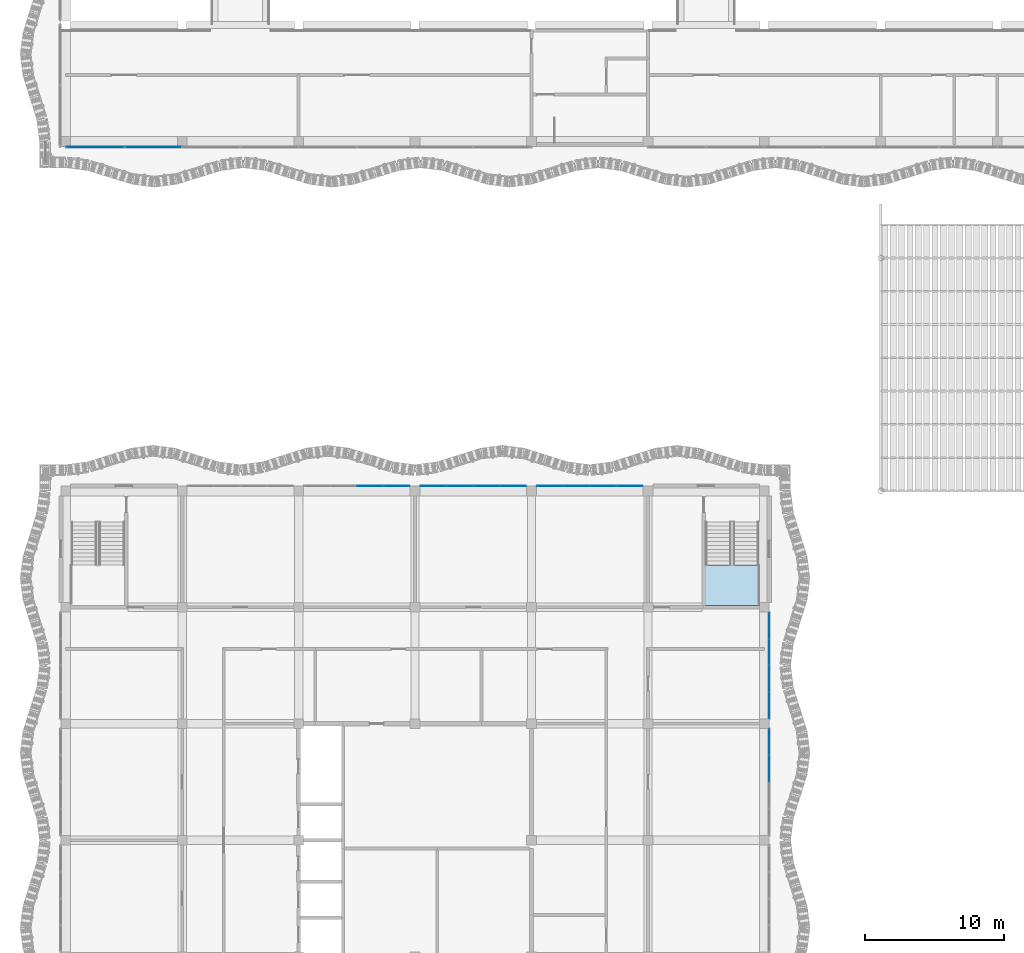
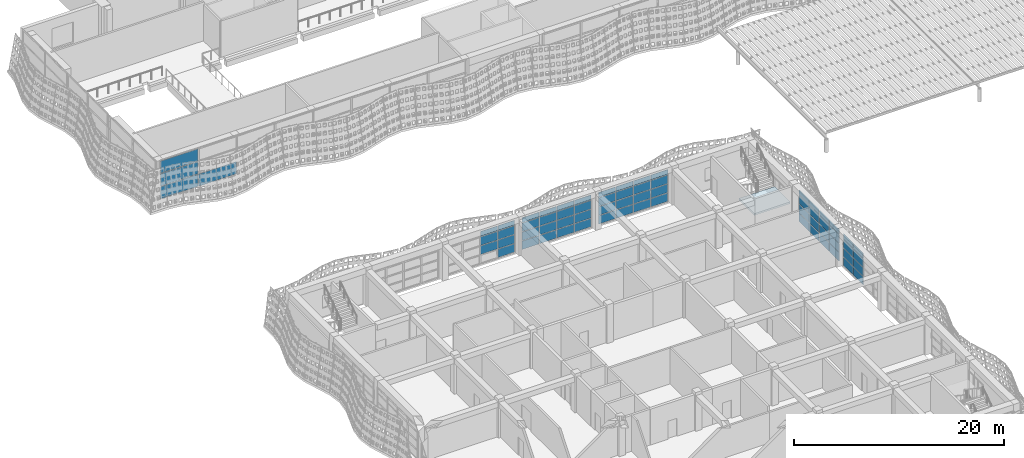
# One storey, part 64 of 162: 67 plates, 1 slab, 7 elements without a shape of their own.
"""IFC4 building model written with IfcOpenShell, lengths in metres."""

from ifc_helpers import new_model, si_unit, direction, frame, origin, origin_2d, place, context, subcontext, project, spatial, polyline, rectangle, outline, extrude, material, layer, layer_set, type_object, element, aggregate, save


model = new_model("IFC4")

# Units and contexts
model_context = context("Model", 3, precision=1e-05, world=origin(), true_north=direction((0.0, 1.0)))
body_context = subcontext(model_context, "Body", "Model", "MODEL_VIEW")
ifc_project = project(units=[si_unit("LENGTHUNIT", "METRE"), si_unit("AREAUNIT", "SQUARE_METRE"), si_unit("VOLUMEUNIT", "CUBIC_METRE"), si_unit("PLANEANGLEUNIT", "RADIAN"), si_unit("MASSUNIT", "GRAM", prefix="KILO")], contexts=[model_context])

# Site, building, storey
site_placement = place(None, origin())
site = spatial("IfcSite", under=ifc_project, at=site_placement, CompositionType="ELEMENT")
building_placement = place(site_placement, origin())
building = spatial("IfcBuilding", under=site, at=building_placement, Name="Rain Tree Exposition and Congress Centre", CompositionType="ELEMENT")
storey_placement = place(building_placement, frame((0.0, 0.0, 6.0)))
storey = spatial("IfcBuildingStorey", under=building, at=storey_placement, Name="L01", CompositionType="ELEMENT", Elevation=6.0)

# Curtain wall, plates
ifc_material_1 = material(Name="Aluminium curtain wall system", Category="aluminium")
ifc_layer_1 = layer(ifc_material_1, 0.10009765625)
ifc_layer_set_1 = layer_set([ifc_layer_1], Name="Aluminium curtain wall system")
curtain_wall_type_1 = type_object("IfcCurtainWallType", Name="Concourse curtain wall 4200 module", PredefinedType="NOTDEFINED", material=ifc_layer_set_1)
curtain_wall_1_placement = place(storey_placement, origin())
curtain_wall_1 = element("IfcCurtainWall", 1, at=curtain_wall_1_placement, inside=storey, type_object=curtain_wall_type_1, Name="Concourse curtain wall CWC22", PredefinedType="NOTDEFINED")
ifc_material_2 = material(Name="Laminated low-e glass", Category="glass")
ifc_layer_2 = layer(ifc_material_2, 0.028076171875)
ifc_layer_set_2 = layer_set([ifc_layer_2], Name="Laminated low-e glass")
plate_type_1 = type_object("IfcPlateType", Name="Concourse curtain wall glass panel 28", PredefinedType="CURTAIN_PANEL", material=ifc_layer_set_2)
plate_1_placement = place(storey_placement, frame((2.114990234375, 75.199951171875, 0.06005859375), z_axis=(0.0, 0.0, 1.0), x_axis=(1.0, 0.0, 0.0)))
plate_1 = element("IfcPlate", 2, at=plate_1_placement, type_object=plate_type_1, Name="CWC22 panel 1.1", PredefinedType="CURTAIN_PANEL", context=body_context, shape_type="SweptSolid", body=[
    extrude(rectangle(XDim=4.110107421875, YDim=0.028076171875, at=origin_2d()), origin(), (0.0, 0.0, 1.0), 1.409912109375),
])
plate_2_placement = place(storey_placement, frame((2.114990234375, 75.199951171875, 1.530029296875), z_axis=(0.0, 0.0, 1.0), x_axis=(1.0, 0.0, 0.0)))
plate_2 = element("IfcPlate", 3, at=plate_2_placement, type_object=plate_type_1, Name="CWC22 panel 1.2", PredefinedType="CURTAIN_PANEL", context=body_context, shape_type="SweptSolid", body=[
    extrude(rectangle(XDim=4.110107421875, YDim=0.028076171875, at=origin_2d()), origin(), (0.0, 0.0, 1.0), 1.43994140625),
])
plate_3_placement = place(storey_placement, frame((2.114990234375, 75.199951171875, 3.0302734375), z_axis=(0.0, 0.0, 1.0), x_axis=(1.0, 0.0, 0.0)))
plate_3 = element("IfcPlate", 4, at=plate_3_placement, type_object=plate_type_1, Name="CWC22 panel 1.3", PredefinedType="CURTAIN_PANEL", context=body_context, shape_type="SweptSolid", body=[
    extrude(rectangle(XDim=4.110107421875, YDim=0.028076171875, at=origin_2d()), origin(), (0.0, 0.0, 1.0), 1.409912109375),
])
plate_4_placement = place(storey_placement, frame((6.300048828125, 75.199951171875, 0.06005859375), z_axis=(0.0, 0.0, 1.0), x_axis=(1.0, 0.0, 0.0)))
plate_4 = element("IfcPlate", 5, at=plate_4_placement, type_object=plate_type_1, Name="CWC22 panel 2.1", PredefinedType="CURTAIN_PANEL", context=body_context, shape_type="SweptSolid", body=[
    extrude(rectangle(XDim=4.139892578125, YDim=0.028076171875, at=origin_2d()), origin(), (0.0, 0.0, 1.0), 1.409912109375),
])
aggregate(curtain_wall_1, [plate_1, plate_2, plate_3, plate_4])

ifc_material_3 = material(Name="Aluminium curtain wall", Category="aluminium")
curtain_wall_type_2 = type_object("IfcCurtainWallType", Name="Wing curtain wall 1925", PredefinedType="NOTDEFINED", material=ifc_material_3)
curtain_wall_2_placement = place(storey_placement, origin())
curtain_wall_2 = element("IfcCurtainWall", 6, at=curtain_wall_2_placement, inside=storey, type_object=curtain_wall_type_2, Name="Curtain wall CWW205", PredefinedType="NOTDEFINED")
ifc_material_4 = material(Name="Double glazed unit", Category="glass")
ifc_layer_3 = layer(ifc_material_4, 0.028076171875)
ifc_layer_set_3 = layer_set([ifc_layer_3], Name="Double glazed unit")
plate_type_2 = type_object("IfcPlateType", Name="Wing glazing panel 28", PredefinedType="CURTAIN_PANEL", material=ifc_layer_set_3)
plate_5_placement = place(storey_placement, frame((21.96240234375, 50.75, 1.080078125), z_axis=(0.0, 0.0, 1.0), x_axis=(1.0, 0.0, 0.0)))
plate_5 = element("IfcPlate", 7, at=plate_5_placement, type_object=plate_type_2, Name="CWW205 panel 3.2", PredefinedType="CURTAIN_PANEL", context=body_context, shape_type="SweptSolid", body=[
    extrude(rectangle(XDim=1.864990234375, YDim=0.028076171875, at=origin_2d()), origin(), (0.0, 0.0, 1.0), 0.989990234375),
])
plate_6_placement = place(storey_placement, frame((21.96240234375, 50.75, 2.1298828125), z_axis=(0.0, 0.0, 1.0), x_axis=(1.0, 0.0, 0.0)))
plate_6 = element("IfcPlate", 8, at=plate_6_placement, type_object=plate_type_2, Name="CWW205 panel 3.3", PredefinedType="CURTAIN_PANEL", context=body_context, shape_type="SweptSolid", body=[
    extrude(rectangle(XDim=1.864990234375, YDim=0.028076171875, at=origin_2d()), origin(), (0.0, 0.0, 1.0), 0.989990234375),
])
plate_7_placement = place(storey_placement, frame((21.96240234375, 50.75, 3.179931640625), z_axis=(0.0, 0.0, 1.0), x_axis=(1.0, 0.0, 0.0)))
plate_7 = element("IfcPlate", 9, at=plate_7_placement, type_object=plate_type_2, Name="CWW205 panel 3.4", PredefinedType="CURTAIN_PANEL", context=body_context, shape_type="SweptSolid", body=[
    extrude(rectangle(XDim=1.864990234375, YDim=0.028076171875, at=origin_2d()), origin(), (0.0, 0.0, 1.0), 0.56005859375),
])
plate_8_placement = place(storey_placement, frame((23.87255859375, 50.75, 0.06005859375), z_axis=(0.0, 0.0, 1.0), x_axis=(1.0, 0.0, 0.0)))
plate_8 = element("IfcPlate", 10, at=plate_8_placement, type_object=plate_type_2, Name="CWW205 panel 4.1", PredefinedType="CURTAIN_PANEL", context=body_context, shape_type="SweptSolid", body=[
    extrude(rectangle(XDim=1.8349609375, YDim=0.028076171875, at=origin_2d()), origin(), (0.0, 0.0, 1.0), 0.9599609375),
])
plate_9_placement = place(storey_placement, frame((23.87255859375, 50.75, 1.080078125), z_axis=(0.0, 0.0, 1.0), x_axis=(1.0, 0.0, 0.0)))
plate_9 = element("IfcPlate", 11, at=plate_9_placement, type_object=plate_type_2, Name="CWW205 panel 4.2", PredefinedType="CURTAIN_PANEL", context=body_context, shape_type="SweptSolid", body=[
    extrude(rectangle(XDim=1.8349609375, YDim=0.028076171875, at=origin_2d()), origin(), (0.0, 0.0, 1.0), 0.989990234375),
])
plate_10_placement = place(storey_placement, frame((23.87255859375, 50.75, 2.1298828125), z_axis=(0.0, 0.0, 1.0), x_axis=(1.0, 0.0, 0.0)))
plate_10 = element("IfcPlate", 12, at=plate_10_placement, type_object=plate_type_2, Name="CWW205 panel 4.3", PredefinedType="CURTAIN_PANEL", context=body_context, shape_type="SweptSolid", body=[
    extrude(rectangle(XDim=1.8349609375, YDim=0.028076171875, at=origin_2d()), origin(), (0.0, 0.0, 1.0), 0.989990234375),
])
plate_11_placement = place(storey_placement, frame((23.87255859375, 50.75, 3.179931640625), z_axis=(0.0, 0.0, 1.0), x_axis=(1.0, 0.0, 0.0)))
plate_11 = element("IfcPlate", 13, at=plate_11_placement, type_object=plate_type_2, Name="CWW205 panel 4.4", PredefinedType="CURTAIN_PANEL", context=body_context, shape_type="SweptSolid", body=[
    extrude(rectangle(XDim=1.8349609375, YDim=0.028076171875, at=origin_2d()), origin(), (0.0, 0.0, 1.0), 0.56005859375),
])
aggregate(curtain_wall_2, [plate_5, plate_6, plate_7, plate_8, plate_9, plate_10, plate_11])

curtain_wall_3_placement = place(storey_placement, origin())
curtain_wall_3 = element("IfcCurtainWall", 14, at=curtain_wall_3_placement, inside=storey, type_object=curtain_wall_type_2, Name="Curtain wall CWW206", PredefinedType="NOTDEFINED")
plate_12_placement = place(storey_placement, frame((26.527587890625, 50.75, 0.06005859375), z_axis=(0.0, 0.0, 1.0), x_axis=(1.0, 0.0, 0.0)))
plate_12 = element("IfcPlate", 15, at=plate_12_placement, type_object=plate_type_2, Name="CWW206 panel 1.1", PredefinedType="CURTAIN_PANEL", context=body_context, shape_type="SweptSolid", body=[
    extrude(rectangle(XDim=1.8349609375, YDim=0.028076171875, at=origin_2d()), origin(), (0.0, 0.0, 1.0), 0.9599609375),
])
plate_13_placement = place(storey_placement, frame((26.527587890625, 50.75, 1.080078125), z_axis=(0.0, 0.0, 1.0), x_axis=(1.0, 0.0, 0.0)))
plate_13 = element("IfcPlate", 16, at=plate_13_placement, type_object=plate_type_2, Name="CWW206 panel 1.2", PredefinedType="CURTAIN_PANEL", context=body_context, shape_type="SweptSolid", body=[
    extrude(rectangle(XDim=1.8349609375, YDim=0.028076171875, at=origin_2d()), origin(), (0.0, 0.0, 1.0), 0.989990234375),
])
plate_14_placement = place(storey_placement, frame((26.527587890625, 50.75, 2.1298828125), z_axis=(0.0, 0.0, 1.0), x_axis=(1.0, 0.0, 0.0)))
plate_14 = element("IfcPlate", 17, at=plate_14_placement, type_object=plate_type_2, Name="CWW206 panel 1.3", PredefinedType="CURTAIN_PANEL", context=body_context, shape_type="SweptSolid", body=[
    extrude(rectangle(XDim=1.8349609375, YDim=0.028076171875, at=origin_2d()), origin(), (0.0, 0.0, 1.0), 0.989990234375),
])
plate_15_placement = place(storey_placement, frame((26.527587890625, 50.75, 3.179931640625), z_axis=(0.0, 0.0, 1.0), x_axis=(1.0, 0.0, 0.0)))
plate_15 = element("IfcPlate", 18, at=plate_15_placement, type_object=plate_type_2, Name="CWW206 panel 1.4", PredefinedType="CURTAIN_PANEL", context=body_context, shape_type="SweptSolid", body=[
    extrude(rectangle(XDim=1.8349609375, YDim=0.028076171875, at=origin_2d()), origin(), (0.0, 0.0, 1.0), 0.56005859375),
])
plate_16_placement = place(storey_placement, frame((28.4375, 50.75, 0.06005859375), z_axis=(0.0, 0.0, 1.0), x_axis=(1.0, 0.0, 0.0)))
plate_16 = element("IfcPlate", 19, at=plate_16_placement, type_object=plate_type_2, Name="CWW206 panel 2.1", PredefinedType="CURTAIN_PANEL", context=body_context, shape_type="SweptSolid", body=[
    extrude(rectangle(XDim=1.864990234375, YDim=0.028076171875, at=origin_2d()), origin(), (0.0, 0.0, 1.0), 0.9599609375),
])
plate_17_placement = place(storey_placement, frame((28.4375, 50.75, 1.080078125), z_axis=(0.0, 0.0, 1.0), x_axis=(1.0, 0.0, 0.0)))
plate_17 = element("IfcPlate", 20, at=plate_17_placement, type_object=plate_type_2, Name="CWW206 panel 2.2", PredefinedType="CURTAIN_PANEL", context=body_context, shape_type="SweptSolid", body=[
    extrude(rectangle(XDim=1.864990234375, YDim=0.028076171875, at=origin_2d()), origin(), (0.0, 0.0, 1.0), 0.989990234375),
])
plate_18_placement = place(storey_placement, frame((28.4375, 50.75, 2.1298828125), z_axis=(0.0, 0.0, 1.0), x_axis=(1.0, 0.0, 0.0)))
plate_18 = element("IfcPlate", 21, at=plate_18_placement, type_object=plate_type_2, Name="CWW206 panel 2.3", PredefinedType="CURTAIN_PANEL", context=body_context, shape_type="SweptSolid", body=[
    extrude(rectangle(XDim=1.864990234375, YDim=0.028076171875, at=origin_2d()), origin(), (0.0, 0.0, 1.0), 0.989990234375),
])
plate_19_placement = place(storey_placement, frame((28.4375, 50.75, 3.179931640625), z_axis=(0.0, 0.0, 1.0), x_axis=(1.0, 0.0, 0.0)))
plate_19 = element("IfcPlate", 22, at=plate_19_placement, type_object=plate_type_2, Name="CWW206 panel 2.4", PredefinedType="CURTAIN_PANEL", context=body_context, shape_type="SweptSolid", body=[
    extrude(rectangle(XDim=1.864990234375, YDim=0.028076171875, at=origin_2d()), origin(), (0.0, 0.0, 1.0), 0.56005859375),
])
plate_20_placement = place(storey_placement, frame((30.362548828125, 50.75, 0.06005859375), z_axis=(0.0, 0.0, 1.0), x_axis=(1.0, 0.0, 0.0)))
plate_20 = element("IfcPlate", 23, at=plate_20_placement, type_object=plate_type_2, Name="CWW206 panel 3.1", PredefinedType="CURTAIN_PANEL", context=body_context, shape_type="SweptSolid", body=[
    extrude(rectangle(XDim=1.864990234375, YDim=0.028076171875, at=origin_2d()), origin(), (0.0, 0.0, 1.0), 0.9599609375),
])
plate_21_placement = place(storey_placement, frame((30.362548828125, 50.75, 1.080078125), z_axis=(0.0, 0.0, 1.0), x_axis=(1.0, 0.0, 0.0)))
plate_21 = element("IfcPlate", 24, at=plate_21_placement, type_object=plate_type_2, Name="CWW206 panel 3.2", PredefinedType="CURTAIN_PANEL", context=body_context, shape_type="SweptSolid", body=[
    extrude(rectangle(XDim=1.864990234375, YDim=0.028076171875, at=origin_2d()), origin(), (0.0, 0.0, 1.0), 0.989990234375),
])
plate_22_placement = place(storey_placement, frame((30.362548828125, 50.75, 2.1298828125), z_axis=(0.0, 0.0, 1.0), x_axis=(1.0, 0.0, 0.0)))
plate_22 = element("IfcPlate", 25, at=plate_22_placement, type_object=plate_type_2, Name="CWW206 panel 3.3", PredefinedType="CURTAIN_PANEL", context=body_context, shape_type="SweptSolid", body=[
    extrude(rectangle(XDim=1.864990234375, YDim=0.028076171875, at=origin_2d()), origin(), (0.0, 0.0, 1.0), 0.989990234375),
])
plate_23_placement = place(storey_placement, frame((30.362548828125, 50.75, 3.179931640625), z_axis=(0.0, 0.0, 1.0), x_axis=(1.0, 0.0, 0.0)))
plate_23 = element("IfcPlate", 26, at=plate_23_placement, type_object=plate_type_2, Name="CWW206 panel 3.4", PredefinedType="CURTAIN_PANEL", context=body_context, shape_type="SweptSolid", body=[
    extrude(rectangle(XDim=1.864990234375, YDim=0.028076171875, at=origin_2d()), origin(), (0.0, 0.0, 1.0), 0.56005859375),
])
plate_24_placement = place(storey_placement, frame((32.2724609375, 50.75, 0.06005859375), z_axis=(0.0, 0.0, 1.0), x_axis=(1.0, 0.0, 0.0)))
plate_24 = element("IfcPlate", 27, at=plate_24_placement, type_object=plate_type_2, Name="CWW206 panel 4.1", PredefinedType="CURTAIN_PANEL", context=body_context, shape_type="SweptSolid", body=[
    extrude(rectangle(XDim=1.8349609375, YDim=0.028076171875, at=origin_2d()), origin(), (0.0, 0.0, 1.0), 0.9599609375),
])
plate_25_placement = place(storey_placement, frame((32.2724609375, 50.75, 1.080078125), z_axis=(0.0, 0.0, 1.0), x_axis=(1.0, 0.0, 0.0)))
plate_25 = element("IfcPlate", 28, at=plate_25_placement, type_object=plate_type_2, Name="CWW206 panel 4.2", PredefinedType="CURTAIN_PANEL", context=body_context, shape_type="SweptSolid", body=[
    extrude(rectangle(XDim=1.8349609375, YDim=0.028076171875, at=origin_2d()), origin(), (0.0, 0.0, 1.0), 0.989990234375),
])
plate_26_placement = place(storey_placement, frame((32.2724609375, 50.75, 2.1298828125), z_axis=(0.0, 0.0, 1.0), x_axis=(1.0, 0.0, 0.0)))
plate_26 = element("IfcPlate", 29, at=plate_26_placement, type_object=plate_type_2, Name="CWW206 panel 4.3", PredefinedType="CURTAIN_PANEL", context=body_context, shape_type="SweptSolid", body=[
    extrude(rectangle(XDim=1.8349609375, YDim=0.028076171875, at=origin_2d()), origin(), (0.0, 0.0, 1.0), 0.989990234375),
])
plate_27_placement = place(storey_placement, frame((32.2724609375, 50.75, 3.179931640625), z_axis=(0.0, 0.0, 1.0), x_axis=(1.0, 0.0, 0.0)))
plate_27 = element("IfcPlate", 30, at=plate_27_placement, type_object=plate_type_2, Name="CWW206 panel 4.4", PredefinedType="CURTAIN_PANEL", context=body_context, shape_type="SweptSolid", body=[
    extrude(rectangle(XDim=1.8349609375, YDim=0.028076171875, at=origin_2d()), origin(), (0.0, 0.0, 1.0), 0.56005859375),
])
aggregate(curtain_wall_3, [plate_12, plate_13, plate_14, plate_15, plate_16, plate_17, plate_18, plate_19, plate_20, plate_21, plate_22, plate_23, plate_24, plate_25, plate_26, plate_27])

curtain_wall_4_placement = place(storey_placement, origin())
curtain_wall_4 = element("IfcCurtainWall", 31, at=curtain_wall_4_placement, inside=storey, type_object=curtain_wall_type_2, Name="Curtain wall CWW207", PredefinedType="NOTDEFINED")
plate_28_placement = place(storey_placement, frame((34.927490234375, 50.75, 0.06005859375), z_axis=(0.0, 0.0, 1.0), x_axis=(1.0, 0.0, 0.0)))
plate_28 = element("IfcPlate", 32, at=plate_28_placement, type_object=plate_type_2, Name="CWW207 panel 1.1", PredefinedType="CURTAIN_PANEL", context=body_context, shape_type="SweptSolid", body=[
    extrude(rectangle(XDim=1.8349609375, YDim=0.028076171875, at=origin_2d()), origin(), (0.0, 0.0, 1.0), 0.9599609375),
])
plate_29_placement = place(storey_placement, frame((34.927490234375, 50.75, 1.080078125), z_axis=(0.0, 0.0, 1.0), x_axis=(1.0, 0.0, 0.0)))
plate_29 = element("IfcPlate", 33, at=plate_29_placement, type_object=plate_type_2, Name="CWW207 panel 1.2", PredefinedType="CURTAIN_PANEL", context=body_context, shape_type="SweptSolid", body=[
    extrude(rectangle(XDim=1.8349609375, YDim=0.028076171875, at=origin_2d()), origin(), (0.0, 0.0, 1.0), 0.989990234375),
])
plate_30_placement = place(storey_placement, frame((34.927490234375, 50.75, 2.1298828125), z_axis=(0.0, 0.0, 1.0), x_axis=(1.0, 0.0, 0.0)))
plate_30 = element("IfcPlate", 34, at=plate_30_placement, type_object=plate_type_2, Name="CWW207 panel 1.3", PredefinedType="CURTAIN_PANEL", context=body_context, shape_type="SweptSolid", body=[
    extrude(rectangle(XDim=1.8349609375, YDim=0.028076171875, at=origin_2d()), origin(), (0.0, 0.0, 1.0), 0.989990234375),
])
plate_31_placement = place(storey_placement, frame((34.927490234375, 50.75, 3.179931640625), z_axis=(0.0, 0.0, 1.0), x_axis=(1.0, 0.0, 0.0)))
plate_31 = element("IfcPlate", 35, at=plate_31_placement, type_object=plate_type_2, Name="CWW207 panel 1.4", PredefinedType="CURTAIN_PANEL", context=body_context, shape_type="SweptSolid", body=[
    extrude(rectangle(XDim=1.8349609375, YDim=0.028076171875, at=origin_2d()), origin(), (0.0, 0.0, 1.0), 0.56005859375),
])
plate_32_placement = place(storey_placement, frame((36.83740234375, 50.75, 0.06005859375), z_axis=(0.0, 0.0, 1.0), x_axis=(1.0, 0.0, 0.0)))
plate_32 = element("IfcPlate", 36, at=plate_32_placement, type_object=plate_type_2, Name="CWW207 panel 2.1", PredefinedType="CURTAIN_PANEL", context=body_context, shape_type="SweptSolid", body=[
    extrude(rectangle(XDim=1.864990234375, YDim=0.028076171875, at=origin_2d()), origin(), (0.0, 0.0, 1.0), 0.9599609375),
])
plate_33_placement = place(storey_placement, frame((36.83740234375, 50.75, 1.080078125), z_axis=(0.0, 0.0, 1.0), x_axis=(1.0, 0.0, 0.0)))
plate_33 = element("IfcPlate", 37, at=plate_33_placement, type_object=plate_type_2, Name="CWW207 panel 2.2", PredefinedType="CURTAIN_PANEL", context=body_context, shape_type="SweptSolid", body=[
    extrude(rectangle(XDim=1.864990234375, YDim=0.028076171875, at=origin_2d()), origin(), (0.0, 0.0, 1.0), 0.989990234375),
])
plate_34_placement = place(storey_placement, frame((36.83740234375, 50.75, 2.1298828125), z_axis=(0.0, 0.0, 1.0), x_axis=(1.0, 0.0, 0.0)))
plate_34 = element("IfcPlate", 38, at=plate_34_placement, type_object=plate_type_2, Name="CWW207 panel 2.3", PredefinedType="CURTAIN_PANEL", context=body_context, shape_type="SweptSolid", body=[
    extrude(rectangle(XDim=1.864990234375, YDim=0.028076171875, at=origin_2d()), origin(), (0.0, 0.0, 1.0), 0.989990234375),
])
plate_35_placement = place(storey_placement, frame((36.83740234375, 50.75, 3.179931640625), z_axis=(0.0, 0.0, 1.0), x_axis=(1.0, 0.0, 0.0)))
plate_35 = element("IfcPlate", 39, at=plate_35_placement, type_object=plate_type_2, Name="CWW207 panel 2.4", PredefinedType="CURTAIN_PANEL", context=body_context, shape_type="SweptSolid", body=[
    extrude(rectangle(XDim=1.864990234375, YDim=0.028076171875, at=origin_2d()), origin(), (0.0, 0.0, 1.0), 0.56005859375),
])
plate_36_placement = place(storey_placement, frame((38.762451171875, 50.75, 0.06005859375), z_axis=(0.0, 0.0, 1.0), x_axis=(1.0, 0.0, 0.0)))
plate_36 = element("IfcPlate", 40, at=plate_36_placement, type_object=plate_type_2, Name="CWW207 panel 3.1", PredefinedType="CURTAIN_PANEL", context=body_context, shape_type="SweptSolid", body=[
    extrude(rectangle(XDim=1.864990234375, YDim=0.028076171875, at=origin_2d()), origin(), (0.0, 0.0, 1.0), 0.9599609375),
])
plate_37_placement = place(storey_placement, frame((38.762451171875, 50.75, 1.080078125), z_axis=(0.0, 0.0, 1.0), x_axis=(1.0, 0.0, 0.0)))
plate_37 = element("IfcPlate", 41, at=plate_37_placement, type_object=plate_type_2, Name="CWW207 panel 3.2", PredefinedType="CURTAIN_PANEL", context=body_context, shape_type="SweptSolid", body=[
    extrude(rectangle(XDim=1.864990234375, YDim=0.028076171875, at=origin_2d()), origin(), (0.0, 0.0, 1.0), 0.989990234375),
])
plate_38_placement = place(storey_placement, frame((38.762451171875, 50.75, 2.1298828125), z_axis=(0.0, 0.0, 1.0), x_axis=(1.0, 0.0, 0.0)))
plate_38 = element("IfcPlate", 42, at=plate_38_placement, type_object=plate_type_2, Name="CWW207 panel 3.3", PredefinedType="CURTAIN_PANEL", context=body_context, shape_type="SweptSolid", body=[
    extrude(rectangle(XDim=1.864990234375, YDim=0.028076171875, at=origin_2d()), origin(), (0.0, 0.0, 1.0), 0.989990234375),
])
plate_39_placement = place(storey_placement, frame((38.762451171875, 50.75, 3.179931640625), z_axis=(0.0, 0.0, 1.0), x_axis=(1.0, 0.0, 0.0)))
plate_39 = element("IfcPlate", 43, at=plate_39_placement, type_object=plate_type_2, Name="CWW207 panel 3.4", PredefinedType="CURTAIN_PANEL", context=body_context, shape_type="SweptSolid", body=[
    extrude(rectangle(XDim=1.864990234375, YDim=0.028076171875, at=origin_2d()), origin(), (0.0, 0.0, 1.0), 0.56005859375),
])
plate_40_placement = place(storey_placement, frame((40.672607421875, 50.75, 0.06005859375), z_axis=(0.0, 0.0, 1.0), x_axis=(1.0, 0.0, 0.0)))
plate_40 = element("IfcPlate", 44, at=plate_40_placement, type_object=plate_type_2, Name="CWW207 panel 4.1", PredefinedType="CURTAIN_PANEL", context=body_context, shape_type="SweptSolid", body=[
    extrude(rectangle(XDim=1.8349609375, YDim=0.028076171875, at=origin_2d()), origin(), (0.0, 0.0, 1.0), 0.9599609375),
])
plate_41_placement = place(storey_placement, frame((40.672607421875, 50.75, 1.080078125), z_axis=(0.0, 0.0, 1.0), x_axis=(1.0, 0.0, 0.0)))
plate_41 = element("IfcPlate", 45, at=plate_41_placement, type_object=plate_type_2, Name="CWW207 panel 4.2", PredefinedType="CURTAIN_PANEL", context=body_context, shape_type="SweptSolid", body=[
    extrude(rectangle(XDim=1.8349609375, YDim=0.028076171875, at=origin_2d()), origin(), (0.0, 0.0, 1.0), 0.989990234375),
])
plate_42_placement = place(storey_placement, frame((40.672607421875, 50.75, 2.1298828125), z_axis=(0.0, 0.0, 1.0), x_axis=(1.0, 0.0, 0.0)))
plate_42 = element("IfcPlate", 46, at=plate_42_placement, type_object=plate_type_2, Name="CWW207 panel 4.3", PredefinedType="CURTAIN_PANEL", context=body_context, shape_type="SweptSolid", body=[
    extrude(rectangle(XDim=1.8349609375, YDim=0.028076171875, at=origin_2d()), origin(), (0.0, 0.0, 1.0), 0.989990234375),
])
plate_43_placement = place(storey_placement, frame((40.672607421875, 50.75, 3.179931640625), z_axis=(0.0, 0.0, 1.0), x_axis=(1.0, 0.0, 0.0)))
plate_43 = element("IfcPlate", 47, at=plate_43_placement, type_object=plate_type_2, Name="CWW207 panel 4.4", PredefinedType="CURTAIN_PANEL", context=body_context, shape_type="SweptSolid", body=[
    extrude(rectangle(XDim=1.8349609375, YDim=0.028076171875, at=origin_2d()), origin(), (0.0, 0.0, 1.0), 0.56005859375),
])
aggregate(curtain_wall_4, [plate_28, plate_29, plate_30, plate_31, plate_32, plate_33, plate_34, plate_35, plate_36, plate_37, plate_38, plate_39, plate_40, plate_41, plate_42, plate_43])

curtain_wall_5_placement = place(storey_placement, origin())
curtain_wall_5 = element("IfcCurtainWall", 48, at=curtain_wall_5_placement, inside=storey, type_object=curtain_wall_type_2, Name="Curtain wall CWW214", PredefinedType="NOTDEFINED")
plate_44_placement = place(storey_placement, frame((50.75, 30.362548828125, 0.06005859375), z_axis=(0.0, 0.0, 1.0), x_axis=(0.0, 1.0, 0.0)))
plate_44 = element("IfcPlate", 49, at=plate_44_placement, type_object=plate_type_2, Name="CWW214 panel 3.1", PredefinedType="CURTAIN_PANEL", context=body_context, shape_type="SweptSolid", body=[
    extrude(rectangle(XDim=1.864990234375, YDim=0.028076171875, at=origin_2d()), origin(), (0.0, 0.0, 1.0), 0.9599609375),
])
plate_45_placement = place(storey_placement, frame((50.75, 30.362548828125, 1.080078125), z_axis=(0.0, 0.0, 1.0), x_axis=(0.0, 1.0, 0.0)))
plate_45 = element("IfcPlate", 50, at=plate_45_placement, type_object=plate_type_2, Name="CWW214 panel 3.2", PredefinedType="CURTAIN_PANEL", context=body_context, shape_type="SweptSolid", body=[
    extrude(rectangle(XDim=1.864990234375, YDim=0.028076171875, at=origin_2d()), origin(), (0.0, 0.0, 1.0), 0.989990234375),
])
plate_46_placement = place(storey_placement, frame((50.75, 30.362548828125, 2.1298828125), z_axis=(0.0, 0.0, 1.0), x_axis=(0.0, 1.0, 0.0)))
plate_46 = element("IfcPlate", 51, at=plate_46_placement, type_object=plate_type_2, Name="CWW214 panel 3.3", PredefinedType="CURTAIN_PANEL", context=body_context, shape_type="SweptSolid", body=[
    extrude(rectangle(XDim=1.864990234375, YDim=0.028076171875, at=origin_2d()), origin(), (0.0, 0.0, 1.0), 0.989990234375),
])
plate_47_placement = place(storey_placement, frame((50.75, 30.362548828125, 3.179931640625), z_axis=(0.0, 0.0, 1.0), x_axis=(0.0, 1.0, 0.0)))
plate_47 = element("IfcPlate", 52, at=plate_47_placement, type_object=plate_type_2, Name="CWW214 panel 3.4", PredefinedType="CURTAIN_PANEL", context=body_context, shape_type="SweptSolid", body=[
    extrude(rectangle(XDim=1.864990234375, YDim=0.028076171875, at=origin_2d()), origin(), (0.0, 0.0, 1.0), 0.56005859375),
])
plate_48_placement = place(storey_placement, frame((50.75, 32.2724609375, 0.06005859375), z_axis=(0.0, 0.0, 1.0), x_axis=(0.0, 1.0, 0.0)))
plate_48 = element("IfcPlate", 53, at=plate_48_placement, type_object=plate_type_2, Name="CWW214 panel 4.1", PredefinedType="CURTAIN_PANEL", context=body_context, shape_type="SweptSolid", body=[
    extrude(rectangle(XDim=1.8349609375, YDim=0.028076171875, at=origin_2d()), origin(), (0.0, 0.0, 1.0), 0.9599609375),
])
plate_49_placement = place(storey_placement, frame((50.75, 32.2724609375, 1.080078125), z_axis=(0.0, 0.0, 1.0), x_axis=(0.0, 1.0, 0.0)))
plate_49 = element("IfcPlate", 54, at=plate_49_placement, type_object=plate_type_2, Name="CWW214 panel 4.2", PredefinedType="CURTAIN_PANEL", context=body_context, shape_type="SweptSolid", body=[
    extrude(rectangle(XDim=1.8349609375, YDim=0.028076171875, at=origin_2d()), origin(), (0.0, 0.0, 1.0), 0.989990234375),
])
plate_50_placement = place(storey_placement, frame((50.75, 32.2724609375, 2.1298828125), z_axis=(0.0, 0.0, 1.0), x_axis=(0.0, 1.0, 0.0)))
plate_50 = element("IfcPlate", 55, at=plate_50_placement, type_object=plate_type_2, Name="CWW214 panel 4.3", PredefinedType="CURTAIN_PANEL", context=body_context, shape_type="SweptSolid", body=[
    extrude(rectangle(XDim=1.8349609375, YDim=0.028076171875, at=origin_2d()), origin(), (0.0, 0.0, 1.0), 0.989990234375),
])
plate_51_placement = place(storey_placement, frame((50.75, 32.2724609375, 3.179931640625), z_axis=(0.0, 0.0, 1.0), x_axis=(0.0, 1.0, 0.0)))
plate_51 = element("IfcPlate", 56, at=plate_51_placement, type_object=plate_type_2, Name="CWW214 panel 4.4", PredefinedType="CURTAIN_PANEL", context=body_context, shape_type="SweptSolid", body=[
    extrude(rectangle(XDim=1.8349609375, YDim=0.028076171875, at=origin_2d()), origin(), (0.0, 0.0, 1.0), 0.56005859375),
])
aggregate(curtain_wall_5, [plate_44, plate_45, plate_46, plate_47, plate_48, plate_49, plate_50, plate_51])

curtain_wall_6_placement = place(storey_placement, origin())
curtain_wall_6 = element("IfcCurtainWall", 57, at=curtain_wall_6_placement, inside=storey, type_object=curtain_wall_type_2, Name="Curtain wall CWW215", PredefinedType="NOTDEFINED")
plate_52_placement = place(storey_placement, frame((50.75, 34.927490234375, 0.06005859375), z_axis=(0.0, 0.0, 1.0), x_axis=(0.0, 1.0, 0.0)))
plate_52 = element("IfcPlate", 58, at=plate_52_placement, type_object=plate_type_2, Name="CWW215 panel 1.1", PredefinedType="CURTAIN_PANEL", context=body_context, shape_type="SweptSolid", body=[
    extrude(rectangle(XDim=1.8349609375, YDim=0.028076171875, at=origin_2d()), origin(), (0.0, 0.0, 1.0), 0.9599609375),
])
plate_53_placement = place(storey_placement, frame((50.75, 34.927490234375, 1.080078125), z_axis=(0.0, 0.0, 1.0), x_axis=(0.0, 1.0, 0.0)))
plate_53 = element("IfcPlate", 59, at=plate_53_placement, type_object=plate_type_2, Name="CWW215 panel 1.2", PredefinedType="CURTAIN_PANEL", context=body_context, shape_type="SweptSolid", body=[
    extrude(rectangle(XDim=1.8349609375, YDim=0.028076171875, at=origin_2d()), origin(), (0.0, 0.0, 1.0), 0.989990234375),
])
plate_54_placement = place(storey_placement, frame((50.75, 34.927490234375, 2.1298828125), z_axis=(0.0, 0.0, 1.0), x_axis=(0.0, 1.0, 0.0)))
plate_54 = element("IfcPlate", 60, at=plate_54_placement, type_object=plate_type_2, Name="CWW215 panel 1.3", PredefinedType="CURTAIN_PANEL", context=body_context, shape_type="SweptSolid", body=[
    extrude(rectangle(XDim=1.8349609375, YDim=0.028076171875, at=origin_2d()), origin(), (0.0, 0.0, 1.0), 0.989990234375),
])
plate_55_placement = place(storey_placement, frame((50.75, 34.927490234375, 3.179931640625), z_axis=(0.0, 0.0, 1.0), x_axis=(0.0, 1.0, 0.0)))
plate_55 = element("IfcPlate", 61, at=plate_55_placement, type_object=plate_type_2, Name="CWW215 panel 1.4", PredefinedType="CURTAIN_PANEL", context=body_context, shape_type="SweptSolid", body=[
    extrude(rectangle(XDim=1.8349609375, YDim=0.028076171875, at=origin_2d()), origin(), (0.0, 0.0, 1.0), 0.56005859375),
])
plate_56_placement = place(storey_placement, frame((50.75, 36.83740234375, 0.06005859375), z_axis=(0.0, 0.0, 1.0), x_axis=(0.0, 1.0, 0.0)))
plate_56 = element("IfcPlate", 62, at=plate_56_placement, type_object=plate_type_2, Name="CWW215 panel 2.1", PredefinedType="CURTAIN_PANEL", context=body_context, shape_type="SweptSolid", body=[
    extrude(rectangle(XDim=1.864990234375, YDim=0.028076171875, at=origin_2d()), origin(), (0.0, 0.0, 1.0), 0.9599609375),
])
plate_57_placement = place(storey_placement, frame((50.75, 36.83740234375, 1.080078125), z_axis=(0.0, 0.0, 1.0), x_axis=(0.0, 1.0, 0.0)))
plate_57 = element("IfcPlate", 63, at=plate_57_placement, type_object=plate_type_2, Name="CWW215 panel 2.2", PredefinedType="CURTAIN_PANEL", context=body_context, shape_type="SweptSolid", body=[
    extrude(rectangle(XDim=1.864990234375, YDim=0.028076171875, at=origin_2d()), origin(), (0.0, 0.0, 1.0), 0.989990234375),
])
plate_58_placement = place(storey_placement, frame((50.75, 36.83740234375, 2.1298828125), z_axis=(0.0, 0.0, 1.0), x_axis=(0.0, 1.0, 0.0)))
plate_58 = element("IfcPlate", 64, at=plate_58_placement, type_object=plate_type_2, Name="CWW215 panel 2.3", PredefinedType="CURTAIN_PANEL", context=body_context, shape_type="SweptSolid", body=[
    extrude(rectangle(XDim=1.864990234375, YDim=0.028076171875, at=origin_2d()), origin(), (0.0, 0.0, 1.0), 0.989990234375),
])
plate_59_placement = place(storey_placement, frame((50.75, 36.83740234375, 3.179931640625), z_axis=(0.0, 0.0, 1.0), x_axis=(0.0, 1.0, 0.0)))
plate_59 = element("IfcPlate", 65, at=plate_59_placement, type_object=plate_type_2, Name="CWW215 panel 2.4", PredefinedType="CURTAIN_PANEL", context=body_context, shape_type="SweptSolid", body=[
    extrude(rectangle(XDim=1.864990234375, YDim=0.028076171875, at=origin_2d()), origin(), (0.0, 0.0, 1.0), 0.56005859375),
])
plate_60_placement = place(storey_placement, frame((50.75, 38.762451171875, 0.06005859375), z_axis=(0.0, 0.0, 1.0), x_axis=(0.0, 1.0, 0.0)))
plate_60 = element("IfcPlate", 66, at=plate_60_placement, type_object=plate_type_2, Name="CWW215 panel 3.1", PredefinedType="CURTAIN_PANEL", context=body_context, shape_type="SweptSolid", body=[
    extrude(rectangle(XDim=1.864990234375, YDim=0.028076171875, at=origin_2d()), origin(), (0.0, 0.0, 1.0), 0.9599609375),
])
plate_61_placement = place(storey_placement, frame((50.75, 38.762451171875, 1.080078125), z_axis=(0.0, 0.0, 1.0), x_axis=(0.0, 1.0, 0.0)))
plate_61 = element("IfcPlate", 67, at=plate_61_placement, type_object=plate_type_2, Name="CWW215 panel 3.2", PredefinedType="CURTAIN_PANEL", context=body_context, shape_type="SweptSolid", body=[
    extrude(rectangle(XDim=1.864990234375, YDim=0.028076171875, at=origin_2d()), origin(), (0.0, 0.0, 1.0), 0.989990234375),
])
plate_62_placement = place(storey_placement, frame((50.75, 38.762451171875, 2.1298828125), z_axis=(0.0, 0.0, 1.0), x_axis=(0.0, 1.0, 0.0)))
plate_62 = element("IfcPlate", 68, at=plate_62_placement, type_object=plate_type_2, Name="CWW215 panel 3.3", PredefinedType="CURTAIN_PANEL", context=body_context, shape_type="SweptSolid", body=[
    extrude(rectangle(XDim=1.864990234375, YDim=0.028076171875, at=origin_2d()), origin(), (0.0, 0.0, 1.0), 0.989990234375),
])
plate_63_placement = place(storey_placement, frame((50.75, 38.762451171875, 3.179931640625), z_axis=(0.0, 0.0, 1.0), x_axis=(0.0, 1.0, 0.0)))
plate_63 = element("IfcPlate", 69, at=plate_63_placement, type_object=plate_type_2, Name="CWW215 panel 3.4", PredefinedType="CURTAIN_PANEL", context=body_context, shape_type="SweptSolid", body=[
    extrude(rectangle(XDim=1.864990234375, YDim=0.028076171875, at=origin_2d()), origin(), (0.0, 0.0, 1.0), 0.56005859375),
])
plate_64_placement = place(storey_placement, frame((50.75, 40.672607421875, 0.06005859375), z_axis=(0.0, 0.0, 1.0), x_axis=(0.0, 1.0, 0.0)))
plate_64 = element("IfcPlate", 70, at=plate_64_placement, type_object=plate_type_2, Name="CWW215 panel 4.1", PredefinedType="CURTAIN_PANEL", context=body_context, shape_type="SweptSolid", body=[
    extrude(rectangle(XDim=1.8349609375, YDim=0.028076171875, at=origin_2d()), origin(), (0.0, 0.0, 1.0), 0.9599609375),
])
plate_65_placement = place(storey_placement, frame((50.75, 40.672607421875, 1.080078125), z_axis=(0.0, 0.0, 1.0), x_axis=(0.0, 1.0, 0.0)))
plate_65 = element("IfcPlate", 71, at=plate_65_placement, type_object=plate_type_2, Name="CWW215 panel 4.2", PredefinedType="CURTAIN_PANEL", context=body_context, shape_type="SweptSolid", body=[
    extrude(rectangle(XDim=1.8349609375, YDim=0.028076171875, at=origin_2d()), origin(), (0.0, 0.0, 1.0), 0.989990234375),
])
plate_66_placement = place(storey_placement, frame((50.75, 40.672607421875, 2.1298828125), z_axis=(0.0, 0.0, 1.0), x_axis=(0.0, 1.0, 0.0)))
plate_66 = element("IfcPlate", 72, at=plate_66_placement, type_object=plate_type_2, Name="CWW215 panel 4.3", PredefinedType="CURTAIN_PANEL", context=body_context, shape_type="SweptSolid", body=[
    extrude(rectangle(XDim=1.8349609375, YDim=0.028076171875, at=origin_2d()), origin(), (0.0, 0.0, 1.0), 0.989990234375),
])
plate_67_placement = place(storey_placement, frame((50.75, 40.672607421875, 3.179931640625), z_axis=(0.0, 0.0, 1.0), x_axis=(0.0, 1.0, 0.0)))
plate_67 = element("IfcPlate", 73, at=plate_67_placement, type_object=plate_type_2, Name="CWW215 panel 4.4", PredefinedType="CURTAIN_PANEL", context=body_context, shape_type="SweptSolid", body=[
    extrude(rectangle(XDim=1.8349609375, YDim=0.028076171875, at=origin_2d()), origin(), (0.0, 0.0, 1.0), 0.56005859375),
])
aggregate(curtain_wall_6, [plate_52, plate_53, plate_54, plate_55, plate_56, plate_57, plate_58, plate_59, plate_60, plate_61, plate_62, plate_63, plate_64, plate_65, plate_66, plate_67])

# Stair, slab
ifc_material_5 = material(Name="Precast concrete C50/60", Category="concrete")
stair_type = type_object("IfcStairType", Name="Wing dog-leg stair 1850", PredefinedType="HALF_TURN_STAIR", material=ifc_material_5)
stair_placement = place(storey_placement, origin())
stair = element("IfcStair", 74, at=stair_placement, inside=storey, type_object=stair_type, Name="L01 ST-W4", PredefinedType="HALF_TURN_STAIR")
ifc_material_6 = material(Name="Precast concrete C50/60", Category="concrete")
ifc_layer_4 = layer(ifc_material_6, 0.199951171875)
ifc_layer_set_4 = layer_set([ifc_layer_4], Name="Precast concrete C50/60")
slab_type = type_object("IfcSlabType", Name="Wing stair landing 200", PredefinedType="LANDING", material=ifc_layer_set_4)
slab_placement = place(storey_placement, frame((0.0, 0.0, 2.050048828125)))
slab = element("IfcSlab", 75, at=slab_placement, type_object=slab_type, Name="ST-W4 landing 1", PredefinedType="LANDING", context=body_context, shape_type="SweptSolid", body=[
    extrude(outline(polyline([(46.125, 45.070068359375), (46.125, 42.1220703125), (50.052978515625, 42.1220703125), (50.052978515625, 45.070068359375), (46.125, 45.070068359375)])), origin(), (0.0, 0.0, 1.0), 0.199951171875),
])
aggregate(stair, [slab])

save(model, "model.ifc")
